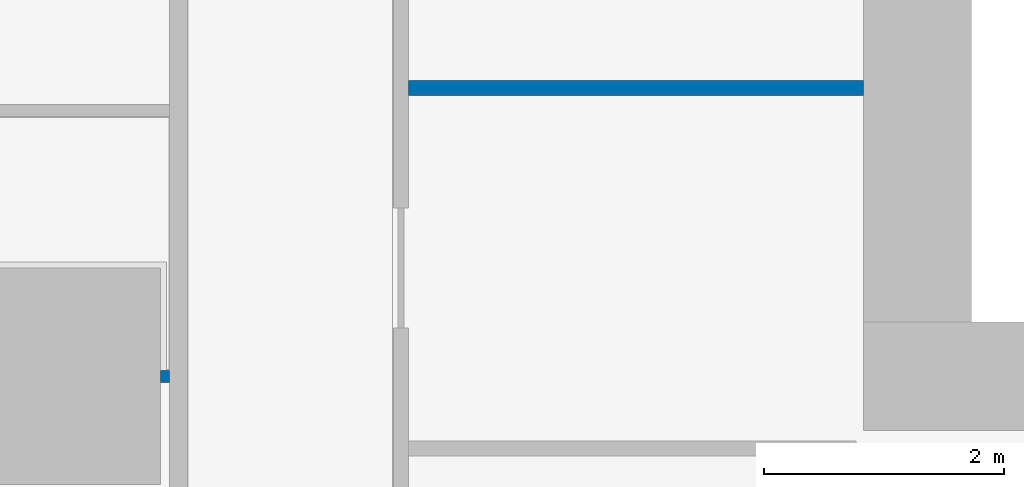
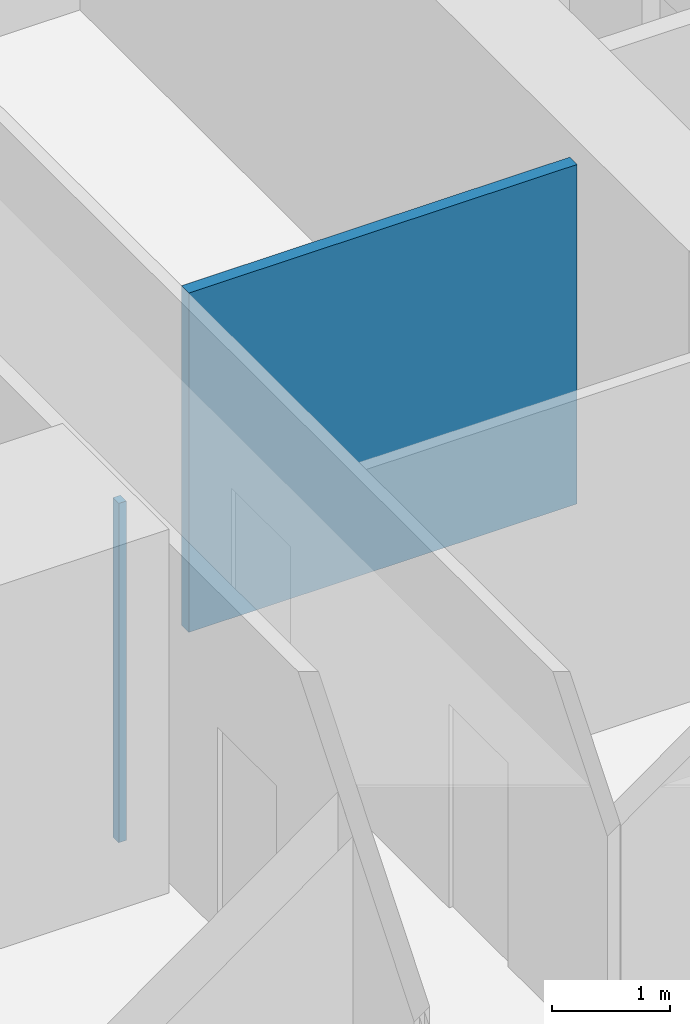
# One storey, part 5 of 16: 2 walls.
"""IFC4 building model written with IfcOpenShell, lengths in metres."""

from ifc_helpers import new_model, si_unit, direction, frame, frame_2d, origin, place, context, subcontext, project, spatial, rectangle, extrude, material, layer, layer_set, type_object, element, save


model = new_model("IFC4")

# Units and contexts
model_context = context("Model", 3, precision=1e-05, world=origin(), true_north=direction((0.0, 1.0)))
body_context = subcontext(model_context, "Body", "Model", "MODEL_VIEW")
ifc_project = project(units=[si_unit("LENGTHUNIT", "METRE"), si_unit("AREAUNIT", "SQUARE_METRE"), si_unit("VOLUMEUNIT", "CUBIC_METRE"), si_unit("PLANEANGLEUNIT", "RADIAN"), si_unit("MASSUNIT", "GRAM", prefix="KILO")], contexts=[model_context])

# Site, building, storey
site_placement = place(None, origin())
site = spatial("IfcSite", under=ifc_project, at=site_placement, CompositionType="ELEMENT")
building_placement = place(site_placement, origin())
building = spatial("IfcBuilding", under=site, at=building_placement, Name="Sheger Commons Tower", CompositionType="ELEMENT")
storey_placement = place(building_placement, frame((0.0, 0.0, 61.25)))
storey = spatial("IfcBuildingStorey", under=building, at=storey_placement, Name="L15", CompositionType="ELEMENT", Elevation=61.25)

# Walls
ifc_material_1 = material(Name="Gypsum board on steel studs", Category="steel")
ifc_layer_1 = layer(ifc_material_1, 0.10009765625)
ifc_layer_set_1 = layer_set([ifc_layer_1], Name="PARTITION 100")
wall_type_1 = type_object("IfcWallType", Name="PARTITION 100", PredefinedType="PARTITIONING", material=ifc_layer_set_1)
wall_1_placement = place(storey_placement, frame((8.10107421875, 15.0, 0.0), z_axis=(0.0, 0.0, 1.0), x_axis=(1.0, 0.0, 0.0)))
element("IfcWall", 1, at=wall_1_placement, inside=storey, type_object=wall_type_1, Name="Partition L15", PredefinedType="PARTITIONING", context=body_context, shape_type="SweptSolid", body=[
    extrude(rectangle(XDim=0.073974609375, YDim=0.10009765625, at=frame_2d((0.037109375, 0.0))), origin(), (0.0, 0.0, 1.0), 3.5),
])
ifc_material_2 = material(Name="Gypsum board on steel studs, two layers each side, fire rated", Category="steel")
ifc_layer_2 = layer(ifc_material_2, 0.125)
ifc_layer_set_2 = layer_set([ifc_layer_2], Name="SERVICE WALL 125")
wall_type_2 = type_object("IfcWallType", Name="SERVICE WALL 125", PredefinedType="PARTITIONING", material=ifc_layer_set_2)
wall_2_placement = place(storey_placement, frame((10.1630859375, 17.39990234375, 0.0), z_axis=(0.0, 0.0, 1.0), x_axis=(1.0, 0.0, 0.0)))
element("IfcWall", 2, at=wall_2_placement, inside=storey, type_object=wall_type_2, Name="Service room wall L15", PredefinedType="PARTITIONING", context=body_context, shape_type="SweptSolid", body=[
    extrude(rectangle(XDim=3.786865234375, YDim=0.125, at=frame_2d((1.8935546875, 0.0))), origin(), (0.0, 0.0, 1.0), 3.5),
])

save(model, "model.ifc")
